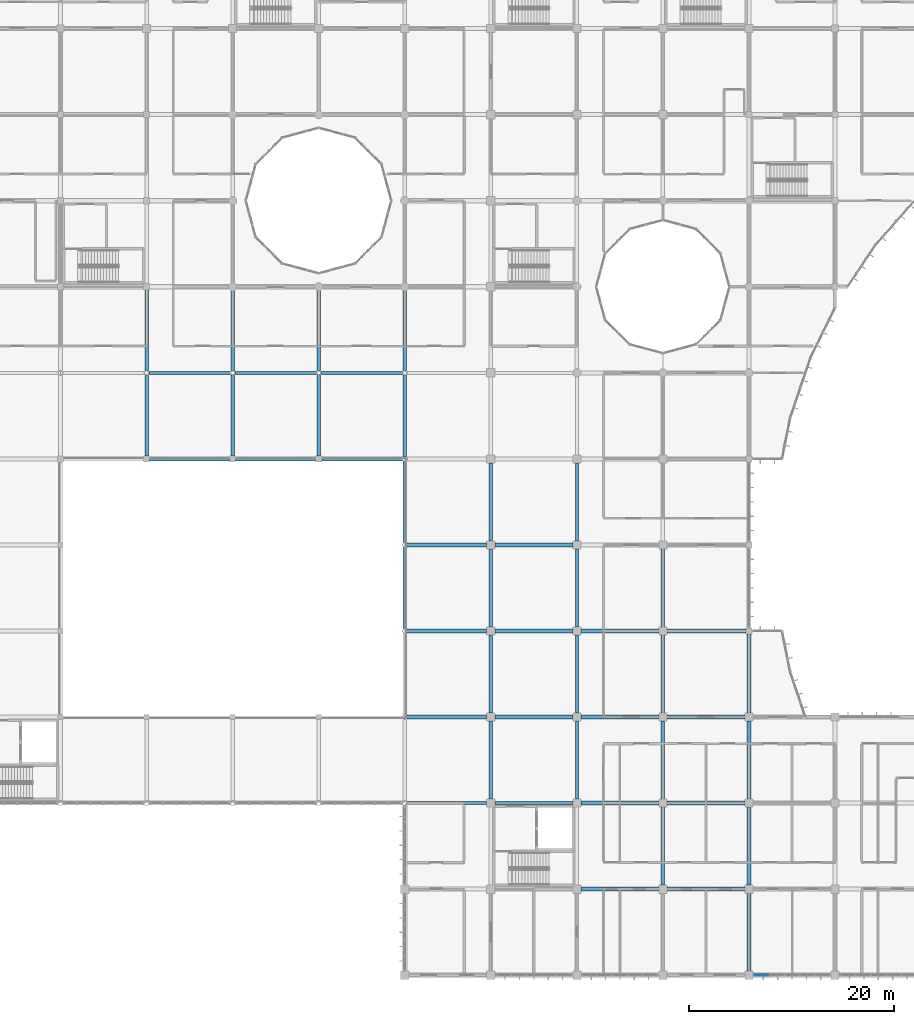
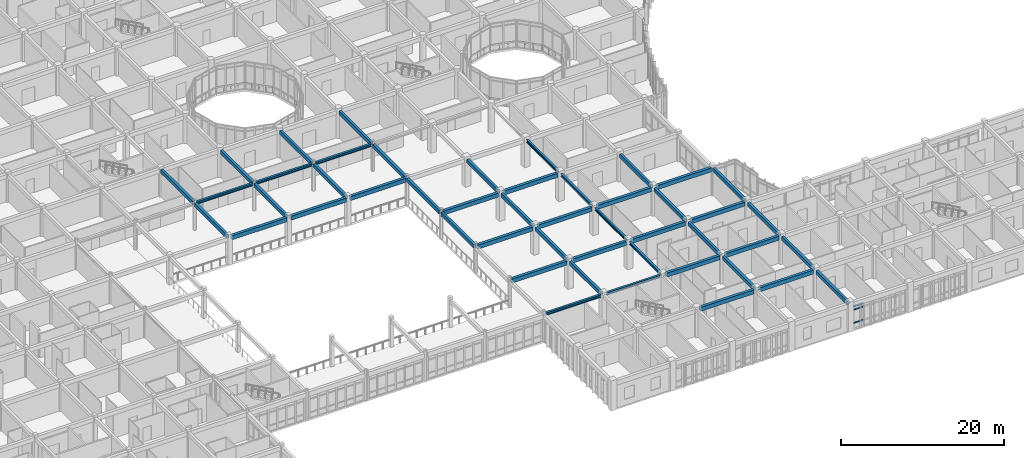
# One storey, part 26 of 144: 48 beams, 3 members, 1 element without a shape of its own.
"""IFC4 building model written with IfcOpenShell, lengths in metres."""

from ifc_helpers import new_model, si_unit, direction, frame, origin, origin_2d, place, context, subcontext, project, spatial, rectangle, i_section, extrude, material, layer, layer_set, material_profile, profile_set, type_object, element, aggregate, save


model = new_model("IFC4")

# Units and contexts
model_context = context("Model", 3, precision=1e-05, world=origin(), true_north=direction((0.0, 1.0)))
body_context = subcontext(model_context, "Body", "Model", "MODEL_VIEW")
ifc_project = project(units=[si_unit("LENGTHUNIT", "METRE"), si_unit("AREAUNIT", "SQUARE_METRE"), si_unit("VOLUMEUNIT", "CUBIC_METRE"), si_unit("PLANEANGLEUNIT", "RADIAN"), si_unit("MASSUNIT", "GRAM", prefix="KILO")], contexts=[model_context])

# Site, building, storey
site_placement = place(None, origin())
site = spatial("IfcSite", under=ifc_project, at=site_placement, CompositionType="ELEMENT")
building_placement = place(site_placement, origin())
building = spatial("IfcBuilding", under=site, at=building_placement, Name="Bramfleet General Hospital", CompositionType="ELEMENT")
storey_placement = place(building_placement, frame((0.0, 0.0, 4.800048828125)))
storey = spatial("IfcBuildingStorey", under=building, at=storey_placement, Name="L01", CompositionType="ELEMENT", Elevation=4.800048828125)

# Beams
ifc_material_1 = material(Name="Steel S355", Category="steel")
ifc_material_profile_1 = material_profile(ifc_material_1, i_section(OverallWidth=0.300048828125, OverallDepth=0.389892578125, WebThickness=0.010986328125, FlangeThickness=0.01904296875, FilletRadius=0.027099609375, at=origin_2d()), Name="HEA 400")
ifc_profile_set_1 = profile_set([ifc_material_profile_1], Name="Steel S355")
beam_type_1 = type_object("IfcBeamType", Name="BM-HEA400", PredefinedType="BEAM", material=ifc_profile_set_1)
beam_1_placement = place(storey_placement, frame((67.428466796875, 58.800048828125, 3.954833984375), z_axis=(1.0, 0.0, 0.0), x_axis=(0.0, 1.0, 0.0)))
element("IfcBeam", 1, at=beam_1_placement, inside=storey, type_object=beam_type_1, Name="L01 Grid Beam X 08-07", PredefinedType="BEAM", context=body_context, shape_type="SweptSolid", body=[
    extrude(i_section(OverallWidth=0.300048828125, OverallDepth=0.389892578125, WebThickness=0.010986328125, FlangeThickness=0.01904296875, FilletRadius=0.027099609375, at=origin_2d()), origin(), (0.0, 0.0, 1.0), 7.943115234375),
])
for number, where, z_axis, x_axis, name in (
    (2, (75.82861328125, 58.800048828125, 3.954833984375), (1.0, 0.0, 0.0), (0.0, 1.0, 0.0), "L01 Grid Beam X 09-07"),
    (3, (84.228515625, 58.800048828125, 3.954833984375), (1.0, 0.0, 0.0), (0.0, 1.0, 0.0), "L01 Grid Beam X 10-07"),
):
    element("IfcBeam", number, at=place(storey_placement, frame(where, z_axis=z_axis, x_axis=x_axis)), inside=storey, type_object=beam_type_1, Name=name, PredefinedType="BEAM", context=body_context, shape_type="SweptSolid", body=[
        extrude(i_section(OverallWidth=0.300048828125, OverallDepth=0.389892578125, WebThickness=0.010986328125, FlangeThickness=0.01904296875, FilletRadius=0.027099609375, at=origin_2d()), origin(), (0.0, 0.0, 1.0), 7.94287109375),
    ])
beam_2_placement = place(storey_placement, frame((92.62841796875, 16.800048828125, 3.954833984375), z_axis=(1.0, 0.0, 0.0), x_axis=(0.0, 1.0, 0.0)))
element("IfcBeam", 4, at=beam_2_placement, inside=storey, type_object=beam_type_1, Name="L01 Grid Beam X 11-02", PredefinedType="BEAM", context=body_context, shape_type="SweptSolid", body=[
    extrude(i_section(OverallWidth=0.300048828125, OverallDepth=0.389892578125, WebThickness=0.010986328125, FlangeThickness=0.01904296875, FilletRadius=0.027099609375, at=origin_2d()), origin(), (0.0, 0.0, 1.0), 7.771484375),
])
beam_3_placement = place(storey_placement, frame((101.199951171875, 16.800048828125, 3.954833984375), z_axis=(1.0, 0.0, 0.0), x_axis=(0.0, 1.0, 0.0)))
element("IfcBeam", 5, at=beam_3_placement, inside=storey, type_object=beam_type_1, Name="L01 Grid Beam X 12-02", PredefinedType="BEAM", context=body_context, shape_type="SweptSolid", body=[
    extrude(i_section(OverallWidth=0.300048828125, OverallDepth=0.389892578125, WebThickness=0.010986328125, FlangeThickness=0.01904296875, FilletRadius=0.027099609375, at=origin_2d()), origin(), (0.0, 0.0, 1.0), 7.60009765625),
])
ifc_material_profile_2 = material_profile(ifc_material_1, i_section(OverallWidth=0.300048828125, OverallDepth=0.39990234375, WebThickness=0.013427734375, FlangeThickness=0.02392578125, FilletRadius=0.027099609375, at=origin_2d()), Name="HEB 400")
ifc_profile_set_2 = profile_set([ifc_material_profile_2], Name="Steel S355")
beam_type_2 = type_object("IfcBeamType", Name="BM-HEB400", PredefinedType="BEAM", material=ifc_profile_set_2)
beam_4_placement = place(storey_placement, frame((109.199951171875, 17.199951171875, 3.949951171875), z_axis=(0.0, 1.0, 0.0), x_axis=(-1.0, 0.0, 0.0)))
element("IfcBeam", 6, at=beam_4_placement, inside=storey, type_object=beam_type_2, Name="L01 Grid Beam Y 13-02", PredefinedType="BEAM", context=body_context, shape_type="SweptSolid", body=[
    extrude(i_section(OverallWidth=0.300048828125, OverallDepth=0.39990234375, WebThickness=0.013427734375, FlangeThickness=0.02392578125, FilletRadius=0.027099609375, at=origin_2d()), origin(), (0.0, 0.0, 1.0), 7.60009765625),
])
beam_5_placement = place(storey_placement, frame((109.199951171875, 25.60009765625, 3.949951171875), z_axis=(0.0, 1.0, 0.0), x_axis=(-1.0, 0.0, 0.0)))
element("IfcBeam", 7, at=beam_5_placement, inside=storey, type_object=beam_type_2, Name="L01 Grid Beam Y 13-03", PredefinedType="BEAM", context=body_context, shape_type="SweptSolid", body=[
    extrude(i_section(OverallWidth=0.300048828125, OverallDepth=0.39990234375, WebThickness=0.013427734375, FlangeThickness=0.02392578125, FilletRadius=0.027099609375, at=origin_2d()), origin(), (0.0, 0.0, 1.0), 7.599853515625),
])
for number, where, z_axis, x_axis, name in (
    (8, (109.199951171875, 34.0, 3.949951171875), (0.0, 1.0, 0.0), (-1.0, 0.0, 0.0), "L01 Grid Beam Y 13-04"),
    (9, (109.199951171875, 42.39990234375, 3.949951171875), (0.0, 1.0, 0.0), (-1.0, 0.0, 0.0), "L01 Grid Beam Y 13-05"),
):
    element("IfcBeam", number, at=place(storey_placement, frame(where, z_axis=z_axis, x_axis=x_axis)), inside=storey, type_object=beam_type_2, Name=name, PredefinedType="BEAM", context=body_context, shape_type="SweptSolid", body=[
        extrude(i_section(OverallWidth=0.300048828125, OverallDepth=0.39990234375, WebThickness=0.013427734375, FlangeThickness=0.02392578125, FilletRadius=0.027099609375, at=origin_2d()), origin(), (0.0, 0.0, 1.0), 7.60009765625),
    ])
ifc_material_2 = material(Name="Concrete C35/45", Category="concrete")
ifc_material_profile_3 = material_profile(ifc_material_2, rectangle(XDim=0.35009765625, YDim=0.550048828125, at=origin_2d()), Name="RC BM 550x350")
ifc_profile_set_3 = profile_set([ifc_material_profile_3], Name="Concrete C35/45")
beam_type_3 = type_object("IfcBeamType", Name="BM-RC550", PredefinedType="BEAM", material=ifc_profile_set_3)
beam_6_placement = place(storey_placement, frame((67.199951171875, 50.699951171875, 3.875), z_axis=(0.0, 1.0, 0.0), x_axis=(-1.0, 0.0, 0.0)))
element("IfcBeam", 10, at=beam_6_placement, inside=storey, type_object=beam_type_3, Name="L01 Grid Beam Y 08-06", PredefinedType="BEAM", context=body_context, shape_type="SweptSolid", body=[
    extrude(rectangle(XDim=0.35009765625, YDim=0.550048828125, at=origin_2d()), origin(), (0.0, 0.0, 1.0), 7.87158203125),
])
beam_7_placement = place(storey_placement, frame((67.199951171875, 59.028564453125, 3.875), z_axis=(0.0, 1.0, 0.0), x_axis=(-1.0, 0.0, 0.0)))
element("IfcBeam", 11, at=beam_7_placement, inside=storey, type_object=beam_type_3, Name="L01 Grid Beam Y 08-07", PredefinedType="BEAM", context=body_context, shape_type="SweptSolid", body=[
    extrude(rectangle(XDim=0.35009765625, YDim=0.550048828125, at=origin_2d()), origin(), (0.0, 0.0, 1.0), 7.871337890625),
])
beam_8_placement = place(storey_placement, frame((75.60009765625, 50.699951171875, 3.875), z_axis=(0.0, 1.0, 0.0), x_axis=(-1.0, 0.0, 0.0)))
element("IfcBeam", 12, at=beam_8_placement, inside=storey, type_object=beam_type_3, Name="L01 Grid Beam Y 09-06", PredefinedType="BEAM", context=body_context, shape_type="SweptSolid", body=[
    extrude(rectangle(XDim=0.35009765625, YDim=0.550048828125, at=origin_2d()), origin(), (0.0, 0.0, 1.0), 7.87158203125),
])
beam_9_placement = place(storey_placement, frame((75.60009765625, 59.028564453125, 3.875), z_axis=(0.0, 1.0, 0.0), x_axis=(-1.0, 0.0, 0.0)))
element("IfcBeam", 13, at=beam_9_placement, inside=storey, type_object=beam_type_3, Name="L01 Grid Beam Y 09-07", PredefinedType="BEAM", context=body_context, shape_type="SweptSolid", body=[
    extrude(rectangle(XDim=0.35009765625, YDim=0.550048828125, at=origin_2d()), origin(), (0.0, 0.0, 1.0), 7.771484375),
])
beam_10_placement = place(storey_placement, frame((84.0, 50.699951171875, 3.875), z_axis=(0.0, 1.0, 0.0), x_axis=(-1.0, 0.0, 0.0)))
element("IfcBeam", 14, at=beam_10_placement, inside=storey, type_object=beam_type_3, Name="L01 Grid Beam Y 10-06", PredefinedType="BEAM", context=body_context, shape_type="SweptSolid", body=[
    extrude(rectangle(XDim=0.35009765625, YDim=0.550048828125, at=origin_2d()), origin(), (0.0, 0.0, 1.0), 7.87158203125),
])
beam_11_placement = place(storey_placement, frame((84.0, 59.028564453125, 3.875), z_axis=(0.0, 1.0, 0.0), x_axis=(-1.0, 0.0, 0.0)))
element("IfcBeam", 15, at=beam_11_placement, inside=storey, type_object=beam_type_3, Name="L01 Grid Beam Y 10-07", PredefinedType="BEAM", context=body_context, shape_type="SweptSolid", body=[
    extrude(rectangle(XDim=0.35009765625, YDim=0.550048828125, at=origin_2d()), origin(), (0.0, 0.0, 1.0), 7.771484375),
])
for number, where, z_axis, x_axis, name in (
    (16, (92.39990234375, 33.82861328125, 3.875), (0.0, 1.0, 0.0), (-1.0, 0.0, 0.0), "L01 Grid Beam Y 11-04"),
    (17, (92.39990234375, 42.228515625, 3.875), (0.0, 1.0, 0.0), (-1.0, 0.0, 0.0), "L01 Grid Beam Y 11-05"),
):
    element("IfcBeam", number, at=place(storey_placement, frame(where, z_axis=z_axis, x_axis=x_axis)), inside=storey, type_object=beam_type_3, Name=name, PredefinedType="BEAM", context=body_context, shape_type="SweptSolid", body=[
        extrude(rectangle(XDim=0.35009765625, YDim=0.550048828125, at=origin_2d()), origin(), (0.0, 0.0, 1.0), 7.94287109375),
    ])
beam_12_placement = place(storey_placement, frame((92.39990234375, 50.62841796875, 3.875), z_axis=(0.0, 1.0, 0.0), x_axis=(-1.0, 0.0, 0.0)))
element("IfcBeam", 18, at=beam_12_placement, inside=storey, type_object=beam_type_3, Name="L01 Grid Beam Y 11-06", PredefinedType="BEAM", context=body_context, shape_type="SweptSolid", body=[
    extrude(rectangle(XDim=0.35009765625, YDim=0.550048828125, at=origin_2d()), origin(), (0.0, 0.0, 1.0), 7.943115234375),
])
beam_13_placement = place(storey_placement, frame((92.39990234375, 59.028564453125, 3.875), z_axis=(0.0, 1.0, 0.0), x_axis=(-1.0, 0.0, 0.0)))
element("IfcBeam", 19, at=beam_13_placement, inside=storey, type_object=beam_type_3, Name="L01 Grid Beam Y 11-07", PredefinedType="BEAM", context=body_context, shape_type="SweptSolid", body=[
    extrude(rectangle(XDim=0.35009765625, YDim=0.550048828125, at=origin_2d()), origin(), (0.0, 0.0, 1.0), 7.771484375),
])
beam_14_placement = place(storey_placement, frame((100.800048828125, 17.199951171875, 3.875), z_axis=(0.0, 1.0, 0.0), x_axis=(-1.0, 0.0, 0.0)))
element("IfcBeam", 20, at=beam_14_placement, inside=storey, type_object=beam_type_3, Name="L01 Grid Beam Y 12-02", PredefinedType="BEAM", context=body_context, shape_type="SweptSolid", body=[
    extrude(rectangle(XDim=0.35009765625, YDim=0.550048828125, at=origin_2d()), origin(), (0.0, 0.0, 1.0), 7.60009765625),
])
beam_15_placement = place(storey_placement, frame((100.800048828125, 25.60009765625, 3.875), z_axis=(0.0, 1.0, 0.0), x_axis=(-1.0, 0.0, 0.0)))
element("IfcBeam", 21, at=beam_15_placement, inside=storey, type_object=beam_type_3, Name="L01 Grid Beam Y 12-03", PredefinedType="BEAM", context=body_context, shape_type="SweptSolid", body=[
    extrude(rectangle(XDim=0.35009765625, YDim=0.550048828125, at=origin_2d()), origin(), (0.0, 0.0, 1.0), 7.599853515625),
])
for number, where, z_axis, x_axis, name in (
    (22, (100.800048828125, 34.0, 3.875), (0.0, 1.0, 0.0), (-1.0, 0.0, 0.0), "L01 Grid Beam Y 12-04"),
    (23, (100.800048828125, 42.39990234375, 3.875), (0.0, 1.0, 0.0), (-1.0, 0.0, 0.0), "L01 Grid Beam Y 12-05"),
):
    element("IfcBeam", number, at=place(storey_placement, frame(where, z_axis=z_axis, x_axis=x_axis)), inside=storey, type_object=beam_type_3, Name=name, PredefinedType="BEAM", context=body_context, shape_type="SweptSolid", body=[
        extrude(rectangle(XDim=0.35009765625, YDim=0.550048828125, at=origin_2d()), origin(), (0.0, 0.0, 1.0), 7.60009765625),
    ])
beam_16_placement = place(storey_placement, frame((117.60009765625, 8.800048828125, 3.875), z_axis=(0.0, 1.0, 0.0), x_axis=(-1.0, 0.0, 0.0)))
element("IfcBeam", 24, at=beam_16_placement, inside=storey, type_object=beam_type_3, Name="L01 Grid Beam Y 14-01", PredefinedType="BEAM", context=body_context, shape_type="SweptSolid", body=[
    extrude(rectangle(XDim=0.35009765625, YDim=0.550048828125, at=origin_2d()), origin(), (0.0, 0.0, 1.0), 7.599853515625),
])
beam_17_placement = place(storey_placement, frame((117.60009765625, 17.199951171875, 3.875), z_axis=(0.0, 1.0, 0.0), x_axis=(-1.0, 0.0, 0.0)))
element("IfcBeam", 25, at=beam_17_placement, inside=storey, type_object=beam_type_3, Name="L01 Grid Beam Y 14-02", PredefinedType="BEAM", context=body_context, shape_type="SweptSolid", body=[
    extrude(rectangle(XDim=0.35009765625, YDim=0.550048828125, at=origin_2d()), origin(), (0.0, 0.0, 1.0), 7.60009765625),
])
beam_18_placement = place(storey_placement, frame((117.60009765625, 25.60009765625, 3.875), z_axis=(0.0, 1.0, 0.0), x_axis=(-1.0, 0.0, 0.0)))
element("IfcBeam", 26, at=beam_18_placement, inside=storey, type_object=beam_type_3, Name="L01 Grid Beam Y 14-03", PredefinedType="BEAM", context=body_context, shape_type="SweptSolid", body=[
    extrude(rectangle(XDim=0.35009765625, YDim=0.550048828125, at=origin_2d()), origin(), (0.0, 0.0, 1.0), 7.599853515625),
])
for number, where, z_axis, x_axis, name in (
    (27, (117.60009765625, 34.0, 3.875), (0.0, 1.0, 0.0), (-1.0, 0.0, 0.0), "L01 Grid Beam Y 14-04"),
    (28, (126.0, 0.39990234375, 3.875), (0.0, 1.0, 0.0), (-1.0, 0.0, 0.0), "L01 Grid Beam Y 15-00"),
):
    element("IfcBeam", number, at=place(storey_placement, frame(where, z_axis=z_axis, x_axis=x_axis)), inside=storey, type_object=beam_type_3, Name=name, PredefinedType="BEAM", context=body_context, shape_type="SweptSolid", body=[
        extrude(rectangle(XDim=0.35009765625, YDim=0.550048828125, at=origin_2d()), origin(), (0.0, 0.0, 1.0), 7.60009765625),
    ])
beam_19_placement = place(storey_placement, frame((126.0, 8.800048828125, 3.875), z_axis=(0.0, 1.0, 0.0), x_axis=(-1.0, 0.0, 0.0)))
element("IfcBeam", 29, at=beam_19_placement, inside=storey, type_object=beam_type_3, Name="L01 Grid Beam Y 15-01", PredefinedType="BEAM", context=body_context, shape_type="SweptSolid", body=[
    extrude(rectangle(XDim=0.35009765625, YDim=0.550048828125, at=origin_2d()), origin(), (0.0, 0.0, 1.0), 7.599853515625),
])
beam_20_placement = place(storey_placement, frame((126.0, 17.199951171875, 3.875), z_axis=(0.0, 1.0, 0.0), x_axis=(-1.0, 0.0, 0.0)))
element("IfcBeam", 30, at=beam_20_placement, inside=storey, type_object=beam_type_3, Name="L01 Grid Beam Y 15-02", PredefinedType="BEAM", context=body_context, shape_type="SweptSolid", body=[
    extrude(rectangle(XDim=0.35009765625, YDim=0.550048828125, at=origin_2d()), origin(), (0.0, 0.0, 1.0), 7.60009765625),
])
beam_21_placement = place(storey_placement, frame((126.0, 25.60009765625, 3.875), z_axis=(0.0, 1.0, 0.0), x_axis=(-1.0, 0.0, 0.0)))
element("IfcBeam", 31, at=beam_21_placement, inside=storey, type_object=beam_type_3, Name="L01 Grid Beam Y 15-03", PredefinedType="BEAM", context=body_context, shape_type="SweptSolid", body=[
    extrude(rectangle(XDim=0.35009765625, YDim=0.550048828125, at=origin_2d()), origin(), (0.0, 0.0, 1.0), 7.699951171875),
])
ifc_material_profile_4 = material_profile(ifc_material_2, rectangle(XDim=0.39990234375, YDim=0.60009765625, at=origin_2d()), Name="RC BM 600x400")
ifc_profile_set_4 = profile_set([ifc_material_profile_4], Name="Concrete C35/45")
beam_type_4 = type_object("IfcBeamType", Name="BM-RC600", PredefinedType="BEAM", material=ifc_profile_set_4)
for number, where, z_axis, x_axis, name in (
    (32, (67.5, 50.39990234375, 3.849853515625), (1.0, 0.0, 0.0), (0.0, 1.0, 0.0), "L01 Grid Beam X 08-06"),
    (33, (75.89990234375, 50.39990234375, 3.849853515625), (1.0, 0.0, 0.0), (0.0, 1.0, 0.0), "L01 Grid Beam X 09-06"),
):
    element("IfcBeam", number, at=place(storey_placement, frame(where, z_axis=z_axis, x_axis=x_axis)), inside=storey, type_object=beam_type_4, Name=name, PredefinedType="BEAM", context=body_context, shape_type="SweptSolid", body=[
        extrude(rectangle(XDim=0.39990234375, YDim=0.60009765625, at=origin_2d()), origin(), (0.0, 0.0, 1.0), 7.800048828125),
    ])
beam_22_placement = place(storey_placement, frame((84.300048828125, 50.39990234375, 3.849853515625), z_axis=(1.0, 0.0, 0.0), x_axis=(0.0, 1.0, 0.0)))
element("IfcBeam", 34, at=beam_22_placement, inside=storey, type_object=beam_type_4, Name="L01 Grid Beam X 10-06", PredefinedType="BEAM", context=body_context, shape_type="SweptSolid", body=[
    extrude(rectangle(XDim=0.39990234375, YDim=0.60009765625, at=origin_2d()), origin(), (0.0, 0.0, 1.0), 7.871337890625),
])
for number, where, z_axis, x_axis, name in (
    (35, (92.62841796875, 25.199951171875, 3.849853515625), (1.0, 0.0, 0.0), (0.0, 1.0, 0.0), "L01 Grid Beam X 11-03"),
    (36, (92.62841796875, 33.60009765625, 3.849853515625), (1.0, 0.0, 0.0), (0.0, 1.0, 0.0), "L01 Grid Beam X 11-04"),
    (37, (92.62841796875, 42.0, 3.849853515625), (1.0, 0.0, 0.0), (0.0, 1.0, 0.0), "L01 Grid Beam X 11-05"),
):
    element("IfcBeam", number, at=place(storey_placement, frame(where, z_axis=z_axis, x_axis=x_axis)), inside=storey, type_object=beam_type_4, Name=name, PredefinedType="BEAM", context=body_context, shape_type="SweptSolid", body=[
        extrude(rectangle(XDim=0.39990234375, YDim=0.60009765625, at=origin_2d()), origin(), (0.0, 0.0, 1.0), 7.771484375),
    ])
for number, where, z_axis, x_axis, name in (
    (38, (101.199951171875, 25.199951171875, 3.849853515625), (1.0, 0.0, 0.0), (0.0, 1.0, 0.0), "L01 Grid Beam X 12-03"),
    (39, (101.199951171875, 33.60009765625, 3.849853515625), (1.0, 0.0, 0.0), (0.0, 1.0, 0.0), "L01 Grid Beam X 12-04"),
    (40, (101.199951171875, 42.0, 3.849853515625), (1.0, 0.0, 0.0), (0.0, 1.0, 0.0), "L01 Grid Beam X 12-05"),
):
    element("IfcBeam", number, at=place(storey_placement, frame(where, z_axis=z_axis, x_axis=x_axis)), inside=storey, type_object=beam_type_4, Name=name, PredefinedType="BEAM", context=body_context, shape_type="SweptSolid", body=[
        extrude(rectangle(XDim=0.39990234375, YDim=0.60009765625, at=origin_2d()), origin(), (0.0, 0.0, 1.0), 7.60009765625),
    ])
for number, where, z_axis, x_axis, name in (
    (41, (109.60009765625, 8.39990234375, 3.849853515625), (1.0, 0.0, 0.0), (0.0, 1.0, 0.0), "L01 Grid Beam X 13-01"),
    (42, (109.60009765625, 16.800048828125, 3.849853515625), (1.0, 0.0, 0.0), (0.0, 1.0, 0.0), "L01 Grid Beam X 13-02"),
    (43, (109.60009765625, 25.199951171875, 3.849853515625), (1.0, 0.0, 0.0), (0.0, 1.0, 0.0), "L01 Grid Beam X 13-03"),
    (44, (109.60009765625, 33.60009765625, 3.849853515625), (1.0, 0.0, 0.0), (0.0, 1.0, 0.0), "L01 Grid Beam X 13-04"),
):
    element("IfcBeam", number, at=place(storey_placement, frame(where, z_axis=z_axis, x_axis=x_axis)), inside=storey, type_object=beam_type_4, Name=name, PredefinedType="BEAM", context=body_context, shape_type="SweptSolid", body=[
        extrude(rectangle(XDim=0.39990234375, YDim=0.60009765625, at=origin_2d()), origin(), (0.0, 0.0, 1.0), 7.599853515625),
    ])
for number, where, z_axis, x_axis, name in (
    (45, (118.0, 8.39990234375, 3.849853515625), (1.0, 0.0, 0.0), (0.0, 1.0, 0.0), "L01 Grid Beam X 14-01"),
    (46, (118.0, 16.800048828125, 3.849853515625), (1.0, 0.0, 0.0), (0.0, 1.0, 0.0), "L01 Grid Beam X 14-02"),
    (47, (118.0, 25.199951171875, 3.849853515625), (1.0, 0.0, 0.0), (0.0, 1.0, 0.0), "L01 Grid Beam X 14-03"),
):
    element("IfcBeam", number, at=place(storey_placement, frame(where, z_axis=z_axis, x_axis=x_axis)), inside=storey, type_object=beam_type_4, Name=name, PredefinedType="BEAM", context=body_context, shape_type="SweptSolid", body=[
        extrude(rectangle(XDim=0.39990234375, YDim=0.60009765625, at=origin_2d()), origin(), (0.0, 0.0, 1.0), 7.60009765625),
    ])
beam_23_placement = place(storey_placement, frame((118.0, 33.60009765625, 3.849853515625), z_axis=(1.0, 0.0, 0.0), x_axis=(0.0, 1.0, 0.0)))
element("IfcBeam", 48, at=beam_23_placement, inside=storey, type_object=beam_type_4, Name="L01 Grid Beam X 14-04", PredefinedType="BEAM", context=body_context, shape_type="SweptSolid", body=[
    extrude(rectangle(XDim=0.39990234375, YDim=0.60009765625, at=origin_2d()), origin(), (0.0, 0.0, 1.0), 7.699951171875),
])

# Curtain wall, members
ifc_material_3 = material(Name="Anodised aluminium and low-E triple glazing", Category="aluminium")
ifc_layer = layer(ifc_material_3, 0.179931640625, Name="CWT-CW-02")
ifc_layer_set = layer_set([ifc_layer], Name="Anodised aluminium and low-E triple glazing")
curtain_wall_type = type_object("IfcCurtainWallType", Name="CWT-CW-02", PredefinedType="USERDEFINED", material=ifc_layer_set)
curtain_wall_placement = place(storey_placement, origin())
curtain_wall = element("IfcCurtainWall", 49, at=curtain_wall_placement, inside=storey, type_object=curtain_wall_type, Name="L01 Curtain Wall 74", ObjectType="Unitised curtain wall", PredefinedType="USERDEFINED")
ifc_material_4 = material(Name="Structural timber GL28h", Category="wood")
ifc_material_profile_5 = material_profile(ifc_material_4, rectangle(XDim=0.06494140625, YDim=0.14990234375, at=origin_2d()), Name="LARCH 150x65")
ifc_profile_set_5 = profile_set([ifc_material_profile_5], Name="Structural timber GL28h")
member_type = type_object("IfcMemberType", Name="CWT-LARCH220", PredefinedType="USERDEFINED", material=ifc_profile_set_5)
member_1_placement = place(storey_placement, frame((127.929931640625, 0.0, 0.89990234375), z_axis=(-1.0, 0.0, 0.0), x_axis=(0.0, -1.0, 0.0)))
member_1 = element("IfcMember", 50, at=member_1_placement, type_object=member_type, Name="CW-02 transom 5.2", ObjectType="TRANSOM", PredefinedType="USERDEFINED", context=body_context, shape_type="SweptSolid", body=[
    extrude(rectangle(XDim=0.06494140625, YDim=0.14990234375, at=origin_2d()), origin(), (0.0, 0.0, 1.0), 1.385009765625),
])
member_2_placement = place(storey_placement, frame((127.929931640625, 0.0, 2.889892578125), z_axis=(-1.0, 0.0, 0.0), x_axis=(0.0, -1.0, 0.0)))
member_2 = element("IfcMember", 51, at=member_2_placement, type_object=member_type, Name="CW-02 transom 5.3", ObjectType="TRANSOM", PredefinedType="USERDEFINED", context=body_context, shape_type="SweptSolid", body=[
    extrude(rectangle(XDim=0.06494140625, YDim=0.14990234375, at=origin_2d()), origin(), (0.0, 0.0, 1.0), 1.385009765625),
])
member_3_placement = place(storey_placement, frame((127.929931640625, 0.0, 3.407470703125), z_axis=(-1.0, 0.0, 0.0), x_axis=(0.0, -1.0, 0.0)))
member_3 = element("IfcMember", 52, at=member_3_placement, type_object=member_type, Name="CW-02 transom 5.4", ObjectType="TRANSOM", PredefinedType="USERDEFINED", context=body_context, shape_type="SweptSolid", body=[
    extrude(rectangle(XDim=0.06494140625, YDim=0.14990234375, at=origin_2d()), origin(), (0.0, 0.0, 1.0), 1.385009765625),
])
aggregate(curtain_wall, [member_1, member_2, member_3])

save(model, "model.ifc")
